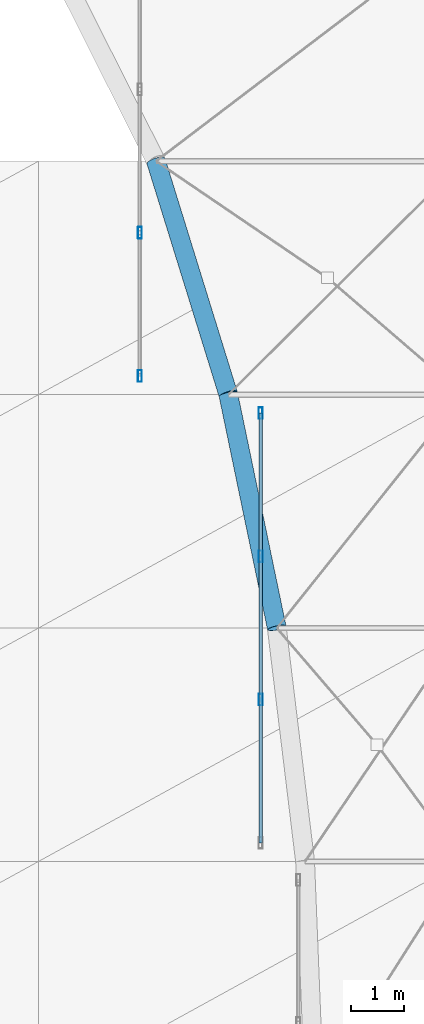
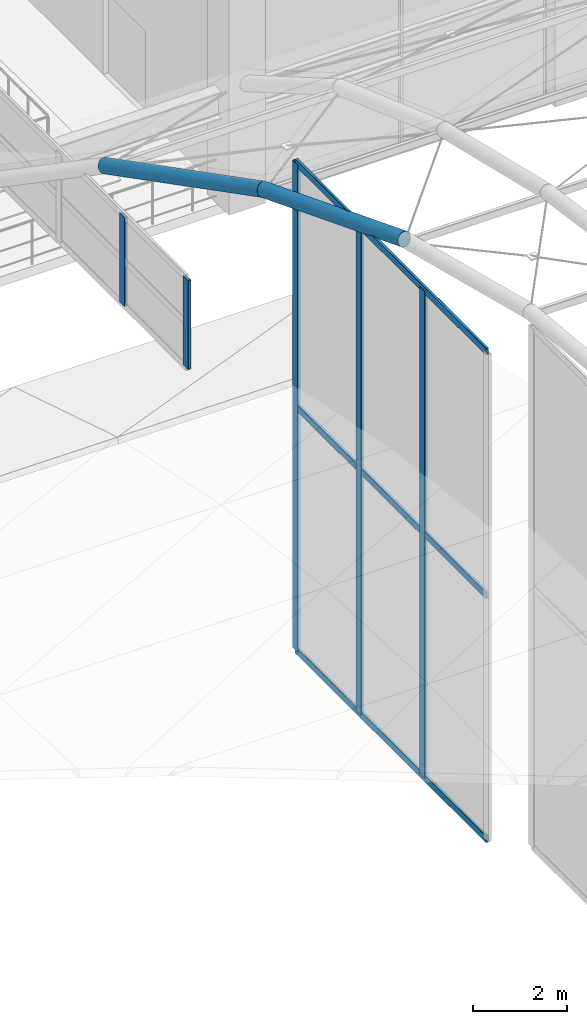
# One storey, part 51 of 163: 8 members, 2 beams, 2 elements without a shape of their own.
"""IFC4 building model written with IfcOpenShell, lengths in metres."""

from ifc_helpers import new_model, si_unit, direction, frame, origin, origin_2d, place, context, subcontext, project, spatial, hollow_rectangle, hollow_circle, extrude, material, material_profile, profile_set, type_object, element, aggregate, save


model = new_model("IFC4")

# Units and contexts
model_context = context("Model", 3, precision=1e-05, world=origin(), true_north=direction((0.0, 1.0)))
body_context = subcontext(model_context, "Body", "Model", "MODEL_VIEW")
ifc_project = project(units=[si_unit("LENGTHUNIT", "METRE"), si_unit("AREAUNIT", "SQUARE_METRE"), si_unit("VOLUMEUNIT", "CUBIC_METRE"), si_unit("PLANEANGLEUNIT", "RADIAN"), si_unit("MASSUNIT", "GRAM", prefix="KILO")], contexts=[model_context])

# Site, building, storey
site_placement = place(None, origin())
site = spatial("IfcSite", under=ifc_project, at=site_placement, CompositionType="ELEMENT")
building_placement = place(site_placement, origin())
building = spatial("IfcBuilding", under=site, at=building_placement, Name="Varnabhumi Central Station", CompositionType="ELEMENT")
storey_placement = place(building_placement, frame((0.0, 0.0, 9.60009765625)))
storey = spatial("IfcBuildingStorey", under=building, at=storey_placement, Name="L02", CompositionType="ELEMENT", Elevation=9.60009765625)

# Beams
ifc_material_1 = material(Name="Structural steel E350", Category="steel")
ifc_material_profile_1 = material_profile(ifc_material_1, hollow_circle(Radius=0.177734375, WallThickness=0.012451171875, at=origin_2d()), Name="Structural steel E350", Category="steel")
ifc_profile_set_1 = profile_set([ifc_material_profile_1], Name="Structural steel E350")
beam_type = type_object("IfcBeamType", Name="BM-ARCH-CHS355", PredefinedType="BEAM", material=ifc_profile_set_1)
beam_1_placement = place(storey_placement, frame((20.491455078125, 66.800048828125, 8.182373046875), z_axis=(-0.198022514029, 0.953194911277, -0.228487516187), x_axis=(-0.979095067091, -0.20340317008, 0.0)))
element("IfcBeam", 1, at=beam_1_placement, inside=storey, type_object=beam_type, Name="Entrance Portico Vault Arch Rib 1 Seg 8", PredefinedType="BEAM", context=body_context, shape_type="SweptSolid", body=[
    extrude(hollow_circle(Radius=0.177734375, WallThickness=0.012451171875, at=origin_2d()), origin(), (0.0, 0.0, 1.0), 4.615966796875),
])
beam_2_placement = place(storey_placement, frame((19.577392578125, 71.199951171875, 7.127685546875), z_axis=(-0.280110599815, 0.903927187192, -0.323192964227), x_axis=(-0.95518924728, -0.295995780173, 0.0)))
element("IfcBeam", 2, at=beam_2_placement, inside=storey, type_object=beam_type, Name="Entrance Portico Vault Arch Rib 1 Seg 9", PredefinedType="BEAM", context=body_context, shape_type="SweptSolid", body=[
    extrude(hollow_circle(Radius=0.177734375, WallThickness=0.012451171875, at=origin_2d()), origin(), (0.0, 0.0, 1.0), 4.867919921875),
])

# Curtain wall, members
ifc_material_2 = material(Name="Anodised aluminium 6063-T6", Category="aluminium")
curtain_wall_type = type_object("IfcCurtainWallType", Name="CW-VAULT-ARCH-V2", PredefinedType="NOTDEFINED", material=ifc_material_2)
curtain_wall_1_placement = place(storey_placement, origin())
curtain_wall_1 = element("IfcCurtainWall", 3, at=curtain_wall_1_placement, inside=storey, type_object=curtain_wall_type, Name="Curtain Wall CW-V24", PredefinedType="NOTDEFINED")
ifc_material_profile_2 = material_profile(ifc_material_2, hollow_rectangle(XDim=0.074951171875, YDim=0.219970703125, WallThickness=0.0048828125, InnerFilletRadius=0.0009765625, OuterFilletRadius=0.006103515625, at=origin_2d()), Name="Anodised aluminium 6063-T6", Category="aluminium")
ifc_profile_set_2 = profile_set([ifc_material_profile_2], Name="Anodised aluminium 6063-T6")
member_type_1 = type_object("IfcMemberType", Name="CW-MUL-220", PredefinedType="MULLION", material=ifc_profile_set_2)
member_1_placement = place(storey_placement, frame((20.18798828125, 65.449951171875, -4.800048828125), z_axis=(0.0, 0.0, 1.0), x_axis=(1.0, 0.0, 0.0)))
member_1 = element("IfcMember", 4, at=member_1_placement, type_object=member_type_1, Name="Curtain Wall Mullion CW-V24-M2", PredefinedType="MULLION", context=body_context, shape_type="SweptSolid", body=[
    extrude(hollow_rectangle(XDim=0.074951171875, YDim=0.219970703125, WallThickness=0.0048828125, InnerFilletRadius=0.0009765625, OuterFilletRadius=0.006103515625, at=origin_2d()), origin(), (0.0, 0.0, 1.0), 12.63232421875),
])
member_2_placement = place(storey_placement, frame((20.18798828125, 68.14990234375, -4.800048828125), z_axis=(0.0, 0.0, 1.0), x_axis=(1.0, 0.0, 0.0)))
member_2 = element("IfcMember", 5, at=member_2_placement, type_object=member_type_1, Name="Curtain Wall Mullion CW-V24-M3", PredefinedType="MULLION", context=body_context, shape_type="SweptSolid", body=[
    extrude(hollow_rectangle(XDim=0.074951171875, YDim=0.219970703125, WallThickness=0.0048828125, InnerFilletRadius=0.0009765625, OuterFilletRadius=0.006103515625, at=origin_2d()), origin(), (0.0, 0.0, 1.0), 12.63232421875),
])
member_3_placement = place(storey_placement, frame((20.18798828125, 70.85009765625, -4.800048828125), z_axis=(0.0, 0.0, 1.0), x_axis=(1.0, 0.0, 0.0)))
member_3 = element("IfcMember", 6, at=member_3_placement, type_object=member_type_1, Name="Curtain Wall Mullion CW-V24-M4", PredefinedType="MULLION", context=body_context, shape_type="SweptSolid", body=[
    extrude(hollow_rectangle(XDim=0.074951171875, YDim=0.219970703125, WallThickness=0.0048828125, InnerFilletRadius=0.0009765625, OuterFilletRadius=0.006103515625, at=origin_2d()), origin(), (0.0, 0.0, 1.0), 12.63232421875),
])

curtain_wall_2_placement = place(storey_placement, origin())
curtain_wall_2 = element("IfcCurtainWall", 7, at=curtain_wall_2_placement, inside=storey, type_object=curtain_wall_type, Name="Curtain Wall CW-V25", PredefinedType="NOTDEFINED")
member_4_placement = place(storey_placement, frame((17.910888671875, 71.550048828125, 2.89990234375), z_axis=(0.0, 0.0, 1.0), x_axis=(1.0, 0.0, 0.0)))
member_4 = element("IfcMember", 8, at=member_4_placement, type_object=member_type_1, Name="Curtain Wall Mullion CW-V25-M1", PredefinedType="MULLION", context=body_context, shape_type="SweptSolid", body=[
    extrude(hollow_rectangle(XDim=0.074951171875, YDim=0.219970703125, WallThickness=0.0048828125, InnerFilletRadius=0.0009765625, OuterFilletRadius=0.006103515625, at=origin_2d()), origin(), (0.0, 0.0, 1.0), 2.304443359375),
])
member_5_placement = place(storey_placement, frame((17.910888671875, 74.25, 2.89990234375), z_axis=(0.0, 0.0, 1.0), x_axis=(1.0, 0.0, 0.0)))
member_5 = element("IfcMember", 9, at=member_5_placement, type_object=member_type_1, Name="Curtain Wall Mullion CW-V25-M2", PredefinedType="MULLION", context=body_context, shape_type="SweptSolid", body=[
    extrude(hollow_rectangle(XDim=0.074951171875, YDim=0.219970703125, WallThickness=0.0048828125, InnerFilletRadius=0.0009765625, OuterFilletRadius=0.006103515625, at=origin_2d()), origin(), (0.0, 0.0, 1.0), 2.304443359375),
])
aggregate(curtain_wall_2, [member_4, member_5])

# Member
ifc_material_profile_3 = material_profile(ifc_material_2, hollow_rectangle(XDim=0.06494140625, YDim=0.179931640625, WallThickness=0.00390625, InnerFilletRadius=0.001953125, OuterFilletRadius=0.006103515625, at=origin_2d()), Name="Anodised aluminium 6063-T6", Category="aluminium")
ifc_profile_set_3 = profile_set([ifc_material_profile_3], Name="Anodised aluminium 6063-T6")
member_type_2 = type_object("IfcMemberType", Name="CW-TR-180", PredefinedType="USERDEFINED", material=ifc_profile_set_3)
member_6_placement = place(storey_placement, frame((20.18798828125, 62.75, -4.800048828125), z_axis=(0.0, 1.0, 0.0), x_axis=(-1.0, 0.0, 0.0)))
member_6 = element("IfcMember", 10, at=member_6_placement, type_object=member_type_2, Name="Curtain Wall Transom CW-V24-T1", ObjectType="TRANSOM", PredefinedType="USERDEFINED", context=body_context, shape_type="SweptSolid", body=[
    extrude(hollow_rectangle(XDim=0.06494140625, YDim=0.179931640625, WallThickness=0.00390625, InnerFilletRadius=0.001953125, OuterFilletRadius=0.006103515625, at=origin_2d()), origin(), (0.0, 0.0, 1.0), 8.10009765625),
])

member_7_placement = place(storey_placement, frame((20.18798828125, 62.75, 1.51611328125), z_axis=(0.0, 1.0, 0.0), x_axis=(-1.0, 0.0, 0.0)))
member_7 = element("IfcMember", 11, at=member_7_placement, type_object=member_type_2, Name="Curtain Wall Transom CW-V24-T2", ObjectType="TRANSOM", PredefinedType="USERDEFINED", context=body_context, shape_type="SweptSolid", body=[
    extrude(hollow_rectangle(XDim=0.06494140625, YDim=0.179931640625, WallThickness=0.00390625, InnerFilletRadius=0.001953125, OuterFilletRadius=0.006103515625, at=origin_2d()), origin(), (0.0, 0.0, 1.0), 8.10009765625),
])

member_8_placement = place(storey_placement, frame((20.18798828125, 62.75, 7.832275390625), z_axis=(0.0, 1.0, 0.0), x_axis=(-1.0, 0.0, 0.0)))
member_8 = element("IfcMember", 12, at=member_8_placement, type_object=member_type_2, Name="Curtain Wall Transom CW-V24-T3", ObjectType="TRANSOM", PredefinedType="USERDEFINED", context=body_context, shape_type="SweptSolid", body=[
    extrude(hollow_rectangle(XDim=0.06494140625, YDim=0.179931640625, WallThickness=0.00390625, InnerFilletRadius=0.001953125, OuterFilletRadius=0.006103515625, at=origin_2d()), origin(), (0.0, 0.0, 1.0), 8.10009765625),
])

aggregate(curtain_wall_1, [member_1, member_2, member_3, member_6, member_7, member_8])

save(model, "model.ifc")
